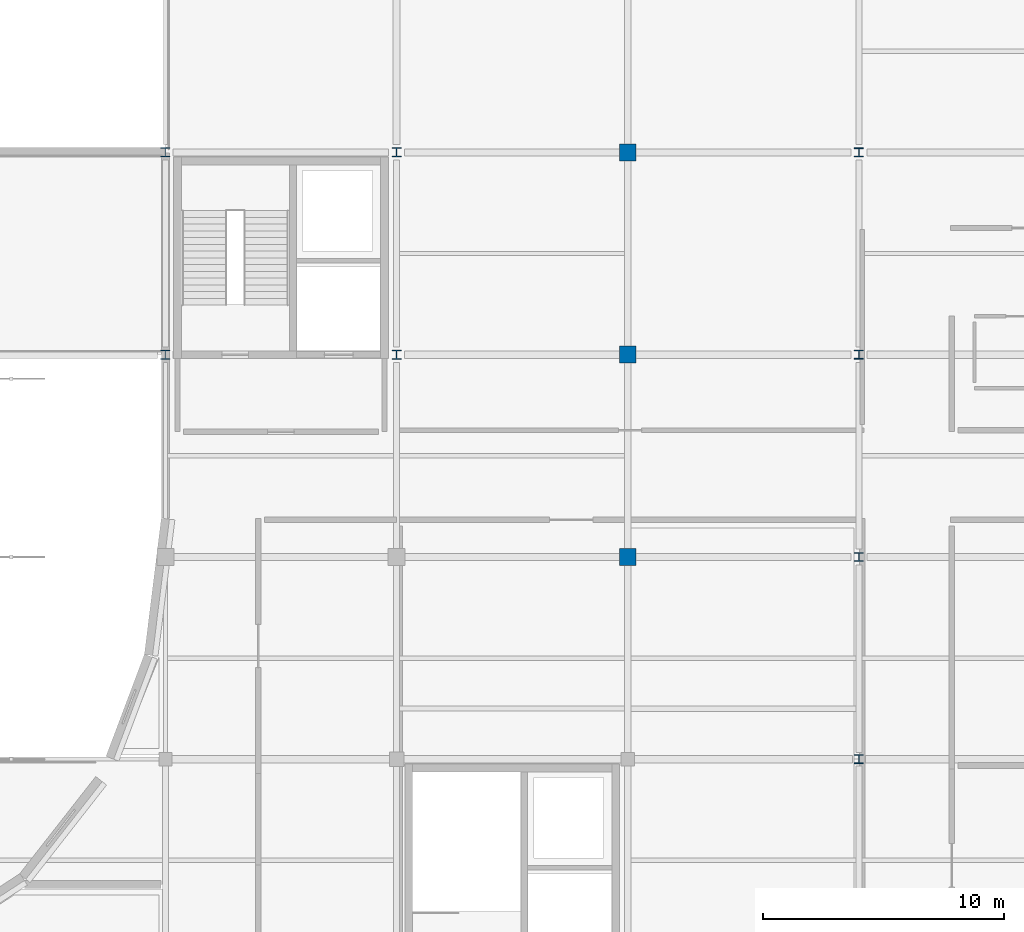
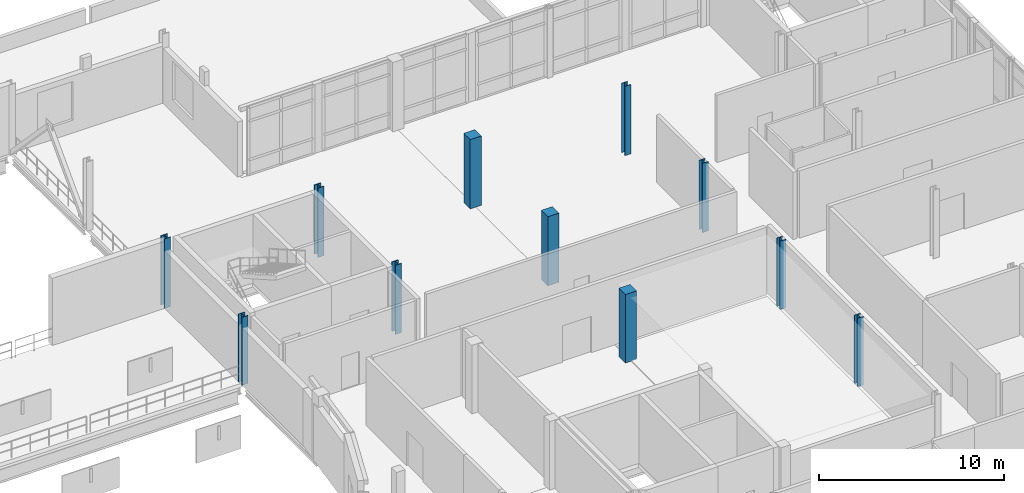
# One storey, part 5 of 52: 11 columns.
"""IFC4 building model written with IfcOpenShell, lengths in metres."""

from ifc_helpers import new_model, si_unit, direction, frame, origin, origin_2d, place, context, subcontext, project, spatial, rectangle, i_section, extrude, material, material_profile, profile_set, type_object, element, save


model = new_model("IFC4")

# Units and contexts
model_context = context("Model", 3, precision=1e-05, world=origin(), true_north=direction((0.0, 1.0)))
body_context = subcontext(model_context, "Body", "Model", "MODEL_VIEW")
ifc_project = project(units=[si_unit("LENGTHUNIT", "METRE"), si_unit("AREAUNIT", "SQUARE_METRE"), si_unit("VOLUMEUNIT", "CUBIC_METRE"), si_unit("PLANEANGLEUNIT", "RADIAN"), si_unit("MASSUNIT", "GRAM", prefix="KILO")], contexts=[model_context])

# Site, building, storey
site_placement = place(None, origin())
site = spatial("IfcSite", under=ifc_project, at=site_placement, CompositionType="ELEMENT")
building_placement = place(site_placement, origin())
building = spatial("IfcBuilding", under=site, at=building_placement, Name="Lornevale Opera House", CompositionType="ELEMENT")
storey_placement = place(building_placement, frame((0.0, 0.0, 15.0)))
storey = spatial("IfcBuildingStorey", under=building, at=storey_placement, Name="L04", CompositionType="ELEMENT", Elevation=15.0)

# Columns
ifc_material_1 = material(Name="Concrete 40 MPa (CSA A23.1 C-1)", Category="concrete")
ifc_material_profile_1 = material_profile(ifc_material_1, rectangle(XDim=0.699951171875, YDim=0.699951171875, at=origin_2d()), Name="RC700x700")
ifc_profile_set_1 = profile_set([ifc_material_profile_1], Name="Concrete 40 MPa (CSA A23.1 C-1)")
column_type_1 = type_object("IfcColumnType", Name="Concrete Column 700x700", PredefinedType="COLUMN", material=ifc_profile_set_1)
column_1_placement = place(storey_placement, frame((115.199951171875, 50.39990234375, 0.0), z_axis=(0.0, 0.0, 1.0), x_axis=(1.0, 0.0, 0.0)))
element("IfcColumn", 1, at=column_1_placement, inside=storey, type_object=column_type_1, Name="Concrete Column 700x700 0786", PredefinedType="COLUMN", context=body_context, shape_type="SweptSolid", body=[
    extrude(rectangle(XDim=0.699951171875, YDim=0.699951171875, at=origin_2d()), origin(), (0.0, 0.0, 1.0), 4.530029296875),
])
for number, where, z_axis, x_axis, name in (
    (2, (115.199951171875, 58.800048828125, 0.0), (0.0, 0.0, 1.0), (1.0, 0.0, 0.0), "Concrete Column 700x700 0794"),
    (3, (115.199951171875, 67.199951171875, 0.0), (0.0, 0.0, 1.0), (1.0, 0.0, 0.0), "Concrete Column 700x700 0802"),
):
    element("IfcColumn", number, at=place(storey_placement, frame(where, z_axis=z_axis, x_axis=x_axis)), inside=storey, type_object=column_type_1, Name=name, PredefinedType="COLUMN", context=body_context, shape_type="SweptSolid", body=[
        extrude(rectangle(XDim=0.699951171875, YDim=0.699951171875, at=origin_2d()), origin(), (0.0, 0.0, 1.0), 4.580078125),
    ])
ifc_material_2 = material(Name="Structural Steel CSA G40.21 Grade 350W (350 MPa)", Category="steel")
ifc_material_profile_2 = material_profile(ifc_material_2, i_section(OverallWidth=0.373046875, OverallDepth=0.367919921875, WebThickness=0.017578125, FlangeThickness=0.028076171875, at=origin_2d()), Name="W360x179")
ifc_profile_set_2 = profile_set([ifc_material_profile_2], Name="Structural Steel CSA G40.21 Grade 350W (350 MPa)")
column_type_2 = type_object("IfcColumnType", Name="Steel Gallery Column W360x179", PredefinedType="COLUMN", material=ifc_profile_set_2)
for number, where, z_axis, x_axis, name in (
    (4, (124.800048828125, 42.0, 0.0), (0.0, 0.0, 1.0), (1.0, 0.0, 0.0), "Steel Gallery Column W360x179 0860"),
    (5, (124.800048828125, 50.39990234375, 0.0), (0.0, 0.0, 1.0), (1.0, 0.0, 0.0), "Steel Gallery Column W360x179 0866"),
):
    element("IfcColumn", number, at=place(storey_placement, frame(where, z_axis=z_axis, x_axis=x_axis)), inside=storey, type_object=column_type_2, Name=name, PredefinedType="COLUMN", context=body_context, shape_type="SweptSolid", body=[
        extrude(i_section(OverallWidth=0.373046875, OverallDepth=0.367919921875, WebThickness=0.017578125, FlangeThickness=0.028076171875, at=origin_2d()), origin(), (0.0, 0.0, 1.0), 4.530029296875),
    ])
for number, where, z_axis, x_axis, name in (
    (6, (124.800048828125, 58.800048828125, 0.0), (0.0, 0.0, 1.0), (1.0, 0.0, 0.0), "Steel Gallery Column W360x179 0874"),
    (7, (124.800048828125, 67.199951171875, 0.0), (0.0, 0.0, 1.0), (1.0, 0.0, 0.0), "Steel Gallery Column W360x179 0882"),
):
    element("IfcColumn", number, at=place(storey_placement, frame(where, z_axis=z_axis, x_axis=x_axis)), inside=storey, type_object=column_type_2, Name=name, PredefinedType="COLUMN", context=body_context, shape_type="SweptSolid", body=[
        extrude(i_section(OverallWidth=0.373046875, OverallDepth=0.367919921875, WebThickness=0.017578125, FlangeThickness=0.028076171875, at=origin_2d()), origin(), (0.0, 0.0, 1.0), 4.580078125),
    ])
ifc_material_profile_3 = material_profile(ifc_material_2, i_section(OverallWidth=0.39892578125, OverallDepth=0.39892578125, WebThickness=0.02978515625, FlangeThickness=0.0390625, at=origin_2d()), Name="W360x314")
ifc_profile_set_3 = profile_set([ifc_material_profile_3], Name="Structural Steel CSA G40.21 Grade 350W (350 MPa)")
column_type_3 = type_object("IfcColumnType", Name="Steel Stagehouse Column W360x314", PredefinedType="COLUMN", material=ifc_profile_set_3)
column_2_placement = place(storey_placement, frame((96.0, 58.800048828125, 0.0), z_axis=(0.0, 0.0, 1.0), x_axis=(1.0, 0.0, 0.0)))
element("IfcColumn", 8, at=column_2_placement, inside=storey, type_object=column_type_3, Name="Steel Stagehouse Column W360x314 0638", PredefinedType="COLUMN", context=body_context, shape_type="SweptSolid", body=[
    extrude(i_section(OverallWidth=0.39892578125, OverallDepth=0.39892578125, WebThickness=0.02978515625, FlangeThickness=0.0390625, at=origin_2d()), origin(), (0.0, 0.0, 1.0), 4.5),
])
for number, where, z_axis, x_axis, name in (
    (9, (96.0, 67.199951171875, 0.0), (0.0, 0.0, 1.0), (1.0, 0.0, 0.0), "Steel Stagehouse Column W360x314 0646"),
    (10, (105.60009765625, 58.800048828125, 0.0), (0.0, 0.0, 1.0), (1.0, 0.0, 0.0), "Steel Stagehouse Column W360x314 0719"),
    (11, (105.60009765625, 67.199951171875, 0.0), (0.0, 0.0, 1.0), (1.0, 0.0, 0.0), "Steel Stagehouse Column W360x314 0727"),
):
    element("IfcColumn", number, at=place(storey_placement, frame(where, z_axis=z_axis, x_axis=x_axis)), inside=storey, type_object=column_type_3, Name=name, PredefinedType="COLUMN", context=body_context, shape_type="SweptSolid", body=[
        extrude(i_section(OverallWidth=0.39892578125, OverallDepth=0.39892578125, WebThickness=0.02978515625, FlangeThickness=0.0390625, at=origin_2d()), origin(), (0.0, 0.0, 1.0), 4.580078125),
    ])

save(model, "model.ifc")
